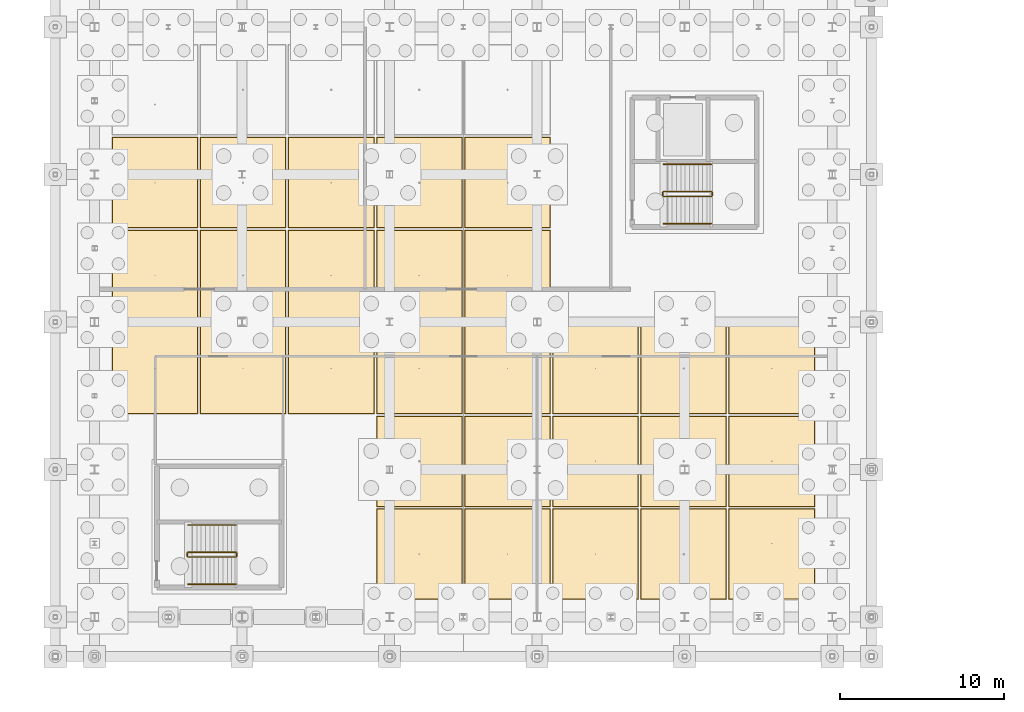
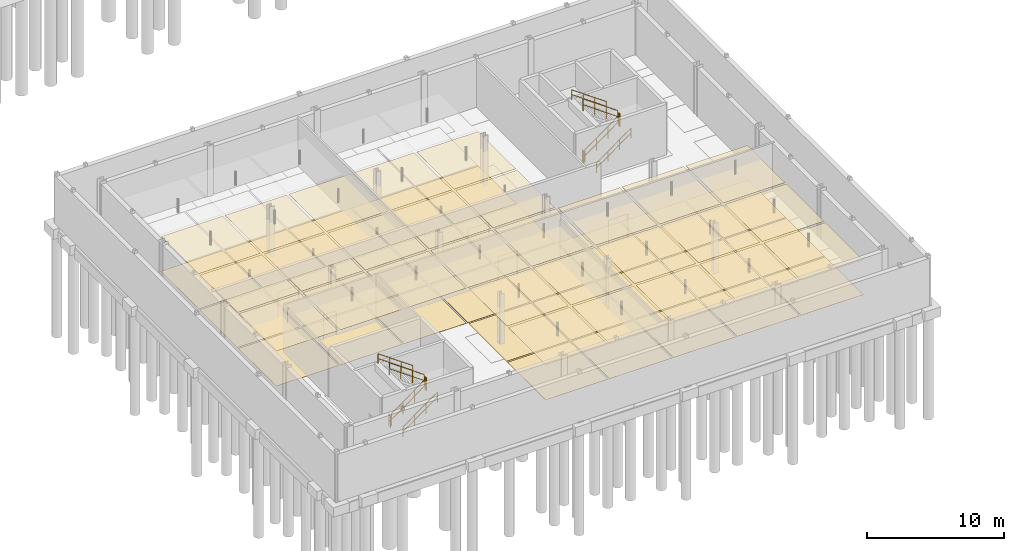
# One storey, part 43 of 48: 56 coverings, 12 railings.
"""IFC4 building model written with IfcOpenShell, lengths in metres."""

from ifc_helpers import new_model, si_unit, direction, frame, origin, origin_2d, place, context, subcontext, project, spatial, rectangle, circle, extrude, material, layer, layer_set, type_object, element, save


model = new_model("IFC4")

# Units and contexts
model_context = context("Model", 3, precision=1e-05, world=origin(), true_north=direction((0.0, 1.0)))
body_context = subcontext(model_context, "Body", "Model", "MODEL_VIEW")
ifc_project = project(units=[si_unit("LENGTHUNIT", "METRE"), si_unit("AREAUNIT", "SQUARE_METRE"), si_unit("VOLUMEUNIT", "CUBIC_METRE"), si_unit("PLANEANGLEUNIT", "RADIAN"), si_unit("MASSUNIT", "GRAM", prefix="KILO"), si_unit("THERMODYNAMICTEMPERATUREUNIT", "KELVIN"), si_unit("POWERUNIT", "WATT")], contexts=[model_context])

# Site, building, storey
site_placement = place(None, origin())
site = spatial("IfcSite", under=ifc_project, at=site_placement, CompositionType="ELEMENT")
building_placement = place(site_placement, origin())
building = spatial("IfcBuilding", under=site, at=building_placement, Name="Tallowbark Science Centre", CompositionType="ELEMENT")
storey_placement = place(building_placement, frame((0.0, 0.0, -4.5)))
storey = spatial("IfcBuildingStorey", under=building, at=storey_placement, Name="B1", CompositionType="ELEMENT", Elevation=-4.5)

# Coverings
ifc_material_1 = material(Name="Mineral-Fibre Acoustic Ceiling Tile Grid")
ifc_layer_1 = layer(ifc_material_1, 0.01806640625)
ifc_layer_set_1 = layer_set([ifc_layer_1], Name="Mineral-Fibre Acoustic Ceiling Tile Grid")
covering_type_1 = type_object("IfcCoveringType", Name="CLG-ACT-18", PredefinedType="CEILING", material=ifc_layer_set_1)
for number, where, z_axis, x_axis, name in (
    (1, (62.1875, 19.666748046875, 3.091064453125), (0.0, 0.0, 1.0), (1.0, 0.0, 0.0), "Suspended Ceiling B1-1"),
    (2, (62.1875, 25.333251953125, 3.091064453125), (0.0, 0.0, 1.0), (1.0, 0.0, 0.0), "Suspended Ceiling B1-2"),
    (3, (62.1875, 31.0, 3.091064453125), (0.0, 0.0, 1.0), (1.0, 0.0, 0.0), "Suspended Ceiling B1-3"),
    (4, (67.5625, 19.666748046875, 3.091064453125), (0.0, 0.0, 1.0), (1.0, 0.0, 0.0), "Suspended Ceiling B1-5"),
    (5, (67.5625, 25.333251953125, 3.091064453125), (0.0, 0.0, 1.0), (1.0, 0.0, 0.0), "Suspended Ceiling B1-6"),
    (6, (67.5625, 31.0, 3.091064453125), (0.0, 0.0, 1.0), (1.0, 0.0, 0.0), "Suspended Ceiling B1-7"),
    (7, (72.9375, 19.666748046875, 3.091064453125), (0.0, 0.0, 1.0), (1.0, 0.0, 0.0), "Suspended Ceiling B1-9"),
    (8, (72.9375, 25.333251953125, 3.091064453125), (0.0, 0.0, 1.0), (1.0, 0.0, 0.0), "Suspended Ceiling B1-10"),
    (9, (72.9375, 31.0, 3.091064453125), (0.0, 0.0, 1.0), (1.0, 0.0, 0.0), "Suspended Ceiling B1-11"),
    (10, (78.3125, 8.333251953125, 3.091064453125), (0.0, 0.0, 1.0), (1.0, 0.0, 0.0), "Suspended Ceiling B1-13"),
    (11, (78.3125, 14.0, 3.091064453125), (0.0, 0.0, 1.0), (1.0, 0.0, 0.0), "Suspended Ceiling B1-14"),
    (12, (78.3125, 19.666748046875, 3.091064453125), (0.0, 0.0, 1.0), (1.0, 0.0, 0.0), "Suspended Ceiling B1-15"),
    (13, (78.3125, 25.333251953125, 3.091064453125), (0.0, 0.0, 1.0), (1.0, 0.0, 0.0), "Suspended Ceiling B1-16"),
    (14, (78.3125, 31.0, 3.091064453125), (0.0, 0.0, 1.0), (1.0, 0.0, 0.0), "Suspended Ceiling B1-17"),
    (15, (83.6875, 8.333251953125, 3.091064453125), (0.0, 0.0, 1.0), (1.0, 0.0, 0.0), "Suspended Ceiling B1-19"),
    (16, (83.6875, 14.0, 3.091064453125), (0.0, 0.0, 1.0), (1.0, 0.0, 0.0), "Suspended Ceiling B1-20"),
    (17, (83.6875, 19.666748046875, 3.091064453125), (0.0, 0.0, 1.0), (1.0, 0.0, 0.0), "Suspended Ceiling B1-21"),
    (18, (83.6875, 25.333251953125, 3.091064453125), (0.0, 0.0, 1.0), (1.0, 0.0, 0.0), "Suspended Ceiling B1-22"),
    (19, (83.6875, 31.0, 3.091064453125), (0.0, 0.0, 1.0), (1.0, 0.0, 0.0), "Suspended Ceiling B1-23"),
    (20, (89.0625, 8.333251953125, 3.091064453125), (0.0, 0.0, 1.0), (1.0, 0.0, 0.0), "Suspended Ceiling B1-25"),
    (21, (89.0625, 14.0, 3.091064453125), (0.0, 0.0, 1.0), (1.0, 0.0, 0.0), "Suspended Ceiling B1-26"),
    (22, (89.0625, 19.666748046875, 3.091064453125), (0.0, 0.0, 1.0), (1.0, 0.0, 0.0), "Suspended Ceiling B1-27"),
    (23, (94.4375, 8.333251953125, 3.091064453125), (0.0, 0.0, 1.0), (1.0, 0.0, 0.0), "Suspended Ceiling B1-28"),
    (24, (94.4375, 14.0, 3.091064453125), (0.0, 0.0, 1.0), (1.0, 0.0, 0.0), "Suspended Ceiling B1-29"),
    (25, (94.4375, 19.666748046875, 3.091064453125), (0.0, 0.0, 1.0), (1.0, 0.0, 0.0), "Suspended Ceiling B1-30"),
    (26, (99.8125, 8.333251953125, 3.091064453125), (0.0, 0.0, 1.0), (1.0, 0.0, 0.0), "Suspended Ceiling B1-31"),
    (27, (99.8125, 14.0, 3.091064453125), (0.0, 0.0, 1.0), (1.0, 0.0, 0.0), "Suspended Ceiling B1-32"),
    (28, (99.8125, 19.666748046875, 3.091064453125), (0.0, 0.0, 1.0), (1.0, 0.0, 0.0), "Suspended Ceiling B1-33"),
):
    element("IfcCovering", number, at=place(storey_placement, frame(where, z_axis=z_axis, x_axis=x_axis)), inside=storey, type_object=covering_type_1, Name=name, PredefinedType="CEILING", context=body_context, shape_type="SweptSolid", body=[
        extrude(rectangle(XDim=5.195068359375, YDim=5.48681640625, at=origin_2d()), origin(), (0.0, 0.0, 1.0), 0.01806640625),
    ])
ifc_material_2 = material(Name="Chemical-Resistant Seamless Laboratory Vinyl")
ifc_layer_2 = layer(ifc_material_2, 0.011962890625)
ifc_layer_set_2 = layer_set([ifc_layer_2], Name="Chemical-Resistant Seamless Laboratory Vinyl")
covering_type_2 = type_object("IfcCoveringType", Name="FLR-VIN-12", PredefinedType="FLOORING", material=ifc_layer_set_2)
for number, where, z_axis, x_axis, name in (
    (29, (62.1875, 19.666748046875, 0.0), (0.0, 0.0, 1.0), (1.0, 0.0, 0.0), "Floor Finish B1-1"),
    (30, (62.1875, 25.333251953125, 0.0), (0.0, 0.0, 1.0), (1.0, 0.0, 0.0), "Floor Finish B1-2"),
    (31, (62.1875, 31.0, 0.0), (0.0, 0.0, 1.0), (1.0, 0.0, 0.0), "Floor Finish B1-3"),
    (32, (67.5625, 19.666748046875, 0.0), (0.0, 0.0, 1.0), (1.0, 0.0, 0.0), "Floor Finish B1-5"),
    (33, (67.5625, 25.333251953125, 0.0), (0.0, 0.0, 1.0), (1.0, 0.0, 0.0), "Floor Finish B1-6"),
    (34, (67.5625, 31.0, 0.0), (0.0, 0.0, 1.0), (1.0, 0.0, 0.0), "Floor Finish B1-7"),
    (35, (72.9375, 19.666748046875, 0.0), (0.0, 0.0, 1.0), (1.0, 0.0, 0.0), "Floor Finish B1-9"),
    (36, (72.9375, 25.333251953125, 0.0), (0.0, 0.0, 1.0), (1.0, 0.0, 0.0), "Floor Finish B1-10"),
    (37, (72.9375, 31.0, 0.0), (0.0, 0.0, 1.0), (1.0, 0.0, 0.0), "Floor Finish B1-11"),
    (38, (78.3125, 8.333251953125, 0.0), (0.0, 0.0, 1.0), (1.0, 0.0, 0.0), "Floor Finish B1-13"),
    (39, (78.3125, 14.0, 0.0), (0.0, 0.0, 1.0), (1.0, 0.0, 0.0), "Floor Finish B1-14"),
    (40, (78.3125, 19.666748046875, 0.0), (0.0, 0.0, 1.0), (1.0, 0.0, 0.0), "Floor Finish B1-15"),
    (41, (78.3125, 25.333251953125, 0.0), (0.0, 0.0, 1.0), (1.0, 0.0, 0.0), "Floor Finish B1-16"),
    (42, (78.3125, 31.0, 0.0), (0.0, 0.0, 1.0), (1.0, 0.0, 0.0), "Floor Finish B1-17"),
    (43, (83.6875, 8.333251953125, 0.0), (0.0, 0.0, 1.0), (1.0, 0.0, 0.0), "Floor Finish B1-19"),
    (44, (83.6875, 14.0, 0.0), (0.0, 0.0, 1.0), (1.0, 0.0, 0.0), "Floor Finish B1-20"),
    (45, (83.6875, 19.666748046875, 0.0), (0.0, 0.0, 1.0), (1.0, 0.0, 0.0), "Floor Finish B1-21"),
    (46, (83.6875, 25.333251953125, 0.0), (0.0, 0.0, 1.0), (1.0, 0.0, 0.0), "Floor Finish B1-22"),
    (47, (83.6875, 31.0, 0.0), (0.0, 0.0, 1.0), (1.0, 0.0, 0.0), "Floor Finish B1-23"),
    (48, (89.0625, 8.333251953125, 0.0), (0.0, 0.0, 1.0), (1.0, 0.0, 0.0), "Floor Finish B1-25"),
    (49, (89.0625, 14.0, 0.0), (0.0, 0.0, 1.0), (1.0, 0.0, 0.0), "Floor Finish B1-26"),
    (50, (89.0625, 19.666748046875, 0.0), (0.0, 0.0, 1.0), (1.0, 0.0, 0.0), "Floor Finish B1-27"),
    (51, (94.4375, 8.333251953125, 0.0), (0.0, 0.0, 1.0), (1.0, 0.0, 0.0), "Floor Finish B1-28"),
    (52, (94.4375, 14.0, 0.0), (0.0, 0.0, 1.0), (1.0, 0.0, 0.0), "Floor Finish B1-29"),
    (53, (94.4375, 19.666748046875, 0.0), (0.0, 0.0, 1.0), (1.0, 0.0, 0.0), "Floor Finish B1-30"),
    (54, (99.8125, 8.333251953125, 0.0), (0.0, 0.0, 1.0), (1.0, 0.0, 0.0), "Floor Finish B1-31"),
    (55, (99.8125, 14.0, 0.0), (0.0, 0.0, 1.0), (1.0, 0.0, 0.0), "Floor Finish B1-32"),
    (56, (99.8125, 19.666748046875, 0.0), (0.0, 0.0, 1.0), (1.0, 0.0, 0.0), "Floor Finish B1-33"),
):
    element("IfcCovering", number, at=place(storey_placement, frame(where, z_axis=z_axis, x_axis=x_axis)), inside=storey, type_object=covering_type_2, Name=name, PredefinedType="FLOORING", context=body_context, shape_type="SweptSolid", body=[
        extrude(rectangle(XDim=5.2548828125, YDim=5.546630859375, at=origin_2d()), origin(), (0.0, 0.0, 1.0), 0.011962890625),
    ])

# Railings
ifc_material_3 = material(Name="Galvanised Painted Steel and Laminated Glass Balustrade", Category="steel")
ifc_layer_3 = layer(ifc_material_3, 0.070068359375)
ifc_layer_set_3 = layer_set([ifc_layer_3], Name="Galvanised Painted Steel and Laminated Glass Balustrade")
railing_type_1 = type_object("IfcRailingType", Name="RLG-BAL-1150", PredefinedType="BALUSTRADE", material=ifc_layer_set_3)
railing_1_placement = place(storey_placement, frame((93.2099609375, 30.159912109375, 0.1875)))
element("IfcRailing", 57, at=railing_1_placement, inside=storey, type_object=railing_type_1, Name="B1 ST-03 stair guard 1", PredefinedType="BALUSTRADE", context=body_context, shape_type="SweptSolid", body=[
    extrude(circle(Radius=0.02392578125, at=origin_2d()), frame((0.0, 0.0, 1.076171875), z_axis=(0.816330724661, 0.0, 0.577584753931), x_axis=(0.0, 1.0, 0.0)), (0.0, 0.0, 1.0), 3.57080078125),
    extrude(circle(Radius=0.02392578125, at=origin_2d()), frame((0.0, 0.0, 0.550048828125), z_axis=(0.816330724661, 0.0, 0.577584753931), x_axis=(0.0, 1.0, 0.0)), (0.0, 0.0, 1.0), 3.57080078125),
    extrude(circle(Radius=0.02099609375, at=origin_2d()), origin(), (0.0, 0.0, 1.0), 1.052001953125),
    extrude(circle(Radius=0.02099609375, at=origin_2d()), frame((0.9716796875, 0.0, 0.6875)), (0.0, 0.0, 1.0), 1.052001953125),
    extrude(circle(Radius=0.02099609375, at=origin_2d()), frame((1.943359375, 0.0, 1.375)), (0.0, 0.0, 1.0), 1.052001953125),
    extrude(circle(Radius=0.02099609375, at=origin_2d()), frame((2.9150390625, 0.0, 2.0625)), (0.0, 0.0, 1.0), 1.052001953125),
])
railing_2_placement = place(storey_placement, frame((96.175048828125, 30.2099609375, 2.25)))
element("IfcRailing", 58, at=railing_2_placement, inside=storey, type_object=railing_type_1, Name="B1 ST-03 stair guard 2", PredefinedType="BALUSTRADE", context=body_context, shape_type="SweptSolid", body=[
    extrude(circle(Radius=0.02392578125, at=origin_2d()), frame((0.0, 0.0, 1.076171875), z_axis=(0.0, 1.0, 0.0), x_axis=(-1.0, 0.0, 0.0)), (0.0, 0.0, 1.0), 0.199951171875),
    extrude(circle(Radius=0.02392578125, at=origin_2d()), frame((0.0, 0.0, 0.550048828125), z_axis=(0.0, 1.0, 0.0), x_axis=(-1.0, 0.0, 0.0)), (0.0, 0.0, 1.0), 0.199951171875),
    extrude(circle(Radius=0.02099609375, at=origin_2d()), origin(), (0.0, 0.0, 1.0), 1.052001953125),
    extrude(circle(Radius=0.02099609375, at=origin_2d()), frame((0.0, 0.199951171875, 0.0)), (0.0, 0.0, 1.0), 1.052001953125),
])
railing_3_placement = place(storey_placement, frame((96.125, 30.4599609375, 2.4375)))
element("IfcRailing", 59, at=railing_3_placement, inside=storey, type_object=railing_type_1, Name="B1 ST-03 stair guard 3", PredefinedType="BALUSTRADE", context=body_context, shape_type="SweptSolid", body=[
    extrude(circle(Radius=0.02392578125, at=origin_2d()), frame((0.0, 0.0, 1.076171875), z_axis=(-0.816330724661, 0.0, 0.577584753931), x_axis=(0.0, -1.0, 0.0)), (0.0, 0.0, 1.0), 3.57080078125),
    extrude(circle(Radius=0.02392578125, at=origin_2d()), frame((0.0, 0.0, 0.550048828125), z_axis=(-0.816330724661, 0.0, 0.577584753931), x_axis=(0.0, -1.0, 0.0)), (0.0, 0.0, 1.0), 3.57080078125),
    extrude(circle(Radius=0.02099609375, at=origin_2d()), origin(), (0.0, 0.0, 1.0), 1.052001953125),
    extrude(circle(Radius=0.02099609375, at=origin_2d()), frame((-0.9716796875, 0.0, 0.6875)), (0.0, 0.0, 1.0), 1.052001953125),
    extrude(circle(Radius=0.02099609375, at=origin_2d()), frame((-1.943359375, 0.0, 1.375)), (0.0, 0.0, 1.0), 1.052001953125),
    extrude(circle(Radius=0.02099609375, at=origin_2d()), frame((-2.9150390625, 0.0, 2.0625)), (0.0, 0.0, 1.0), 1.052001953125),
])
railing_4_placement = place(storey_placement, frame((93.159912109375, 30.2099609375, 0.0)))
element("IfcRailing", 60, at=railing_4_placement, inside=storey, type_object=railing_type_1, Name="B1 ST-03 stair guard 4", PredefinedType="BALUSTRADE", context=body_context, shape_type="SweptSolid", body=[
    extrude(circle(Radius=0.02392578125, at=origin_2d()), frame((0.0, 0.0, 1.076171875), z_axis=(0.0, 1.0, 0.0), x_axis=(-1.0, 0.0, 0.0)), (0.0, 0.0, 1.0), 0.199951171875),
    extrude(circle(Radius=0.02392578125, at=origin_2d()), frame((0.0, 0.0, 0.550048828125), z_axis=(0.0, 1.0, 0.0), x_axis=(-1.0, 0.0, 0.0)), (0.0, 0.0, 1.0), 0.199951171875),
    extrude(circle(Radius=0.02099609375, at=origin_2d()), origin(), (0.0, 0.0, 1.0), 1.052001953125),
    extrude(circle(Radius=0.02099609375, at=origin_2d()), frame((0.0, 0.199951171875, 0.0)), (0.0, 0.0, 1.0), 1.052001953125),
])
railing_5_placement = place(storey_placement, frame((64.2099609375, 8.159912109375, 0.1875)))
element("IfcRailing", 61, at=railing_5_placement, inside=storey, type_object=railing_type_1, Name="B1 ST-07 stair guard 1", PredefinedType="BALUSTRADE", context=body_context, shape_type="SweptSolid", body=[
    extrude(circle(Radius=0.02392578125, at=origin_2d()), frame((0.0, 0.0, 1.076171875), z_axis=(0.816330724661, 0.0, 0.577584753931), x_axis=(0.0, 1.0, 0.0)), (0.0, 0.0, 1.0), 3.57080078125),
    extrude(circle(Radius=0.02392578125, at=origin_2d()), frame((0.0, 0.0, 0.550048828125), z_axis=(0.816330724661, 0.0, 0.577584753931), x_axis=(0.0, 1.0, 0.0)), (0.0, 0.0, 1.0), 3.57080078125),
    extrude(circle(Radius=0.02099609375, at=origin_2d()), origin(), (0.0, 0.0, 1.0), 1.052001953125),
    extrude(circle(Radius=0.02099609375, at=origin_2d()), frame((0.9716796875, 0.0, 0.6875)), (0.0, 0.0, 1.0), 1.052001953125),
    extrude(circle(Radius=0.02099609375, at=origin_2d()), frame((1.943359375, 0.0, 1.375)), (0.0, 0.0, 1.0), 1.052001953125),
    extrude(circle(Radius=0.02099609375, at=origin_2d()), frame((2.9150390625, 0.0, 2.0625)), (0.0, 0.0, 1.0), 1.052001953125),
])
railing_6_placement = place(storey_placement, frame((67.175048828125, 8.2099609375, 2.25)))
element("IfcRailing", 62, at=railing_6_placement, inside=storey, type_object=railing_type_1, Name="B1 ST-07 stair guard 2", PredefinedType="BALUSTRADE", context=body_context, shape_type="SweptSolid", body=[
    extrude(circle(Radius=0.02392578125, at=origin_2d()), frame((0.0, 0.0, 1.076171875), z_axis=(0.0, 1.0, 0.0), x_axis=(-1.0, 0.0, 0.0)), (0.0, 0.0, 1.0), 0.199951171875),
    extrude(circle(Radius=0.02392578125, at=origin_2d()), frame((0.0, 0.0, 0.550048828125), z_axis=(0.0, 1.0, 0.0), x_axis=(-1.0, 0.0, 0.0)), (0.0, 0.0, 1.0), 0.199951171875),
    extrude(circle(Radius=0.02099609375, at=origin_2d()), origin(), (0.0, 0.0, 1.0), 1.052001953125),
    extrude(circle(Radius=0.02099609375, at=origin_2d()), frame((0.0, 0.199951171875, 0.0)), (0.0, 0.0, 1.0), 1.052001953125),
])
railing_7_placement = place(storey_placement, frame((67.125, 8.4599609375, 2.4375)))
element("IfcRailing", 63, at=railing_7_placement, inside=storey, type_object=railing_type_1, Name="B1 ST-07 stair guard 3", PredefinedType="BALUSTRADE", context=body_context, shape_type="SweptSolid", body=[
    extrude(circle(Radius=0.02392578125, at=origin_2d()), frame((0.0, 0.0, 1.076171875), z_axis=(-0.816330724661, 0.0, 0.577584753931), x_axis=(0.0, -1.0, 0.0)), (0.0, 0.0, 1.0), 3.57080078125),
    extrude(circle(Radius=0.02392578125, at=origin_2d()), frame((0.0, 0.0, 0.550048828125), z_axis=(-0.816330724661, 0.0, 0.577584753931), x_axis=(0.0, -1.0, 0.0)), (0.0, 0.0, 1.0), 3.57080078125),
    extrude(circle(Radius=0.02099609375, at=origin_2d()), origin(), (0.0, 0.0, 1.0), 1.052001953125),
    extrude(circle(Radius=0.02099609375, at=origin_2d()), frame((-0.9716796875, 0.0, 0.6875)), (0.0, 0.0, 1.0), 1.052001953125),
    extrude(circle(Radius=0.02099609375, at=origin_2d()), frame((-1.943359375, 0.0, 1.375)), (0.0, 0.0, 1.0), 1.052001953125),
    extrude(circle(Radius=0.02099609375, at=origin_2d()), frame((-2.9150390625, 0.0, 2.0625)), (0.0, 0.0, 1.0), 1.052001953125),
])
railing_8_placement = place(storey_placement, frame((64.159912109375, 8.2099609375, 0.0)))
element("IfcRailing", 64, at=railing_8_placement, inside=storey, type_object=railing_type_1, Name="B1 ST-07 stair guard 4", PredefinedType="BALUSTRADE", context=body_context, shape_type="SweptSolid", body=[
    extrude(circle(Radius=0.02392578125, at=origin_2d()), frame((0.0, 0.0, 1.076171875), z_axis=(0.0, 1.0, 0.0), x_axis=(-1.0, 0.0, 0.0)), (0.0, 0.0, 1.0), 0.199951171875),
    extrude(circle(Radius=0.02392578125, at=origin_2d()), frame((0.0, 0.0, 0.550048828125), z_axis=(0.0, 1.0, 0.0), x_axis=(-1.0, 0.0, 0.0)), (0.0, 0.0, 1.0), 0.199951171875),
    extrude(circle(Radius=0.02099609375, at=origin_2d()), origin(), (0.0, 0.0, 1.0), 1.052001953125),
    extrude(circle(Radius=0.02099609375, at=origin_2d()), frame((0.0, 0.199951171875, 0.0)), (0.0, 0.0, 1.0), 1.052001953125),
])
ifc_material_4 = material(Name="Brushed Grade 316 Stainless Steel Handrail", Category="steel")
ifc_layer_4 = layer(ifc_material_4, 0.050048828125)
ifc_layer_set_4 = layer_set([ifc_layer_4], Name="Brushed Grade 316 Stainless Steel Handrail")
railing_type_2 = type_object("IfcRailingType", Name="RLG-HDR-950", PredefinedType="HANDRAIL", material=ifc_layer_set_4)
railing_9_placement = place(storey_placement, frame((93.2099609375, 28.5, 0.1875)))
element("IfcRailing", 65, at=railing_9_placement, inside=storey, type_object=railing_type_2, Name="B1 ST-03 stair handrail 1", PredefinedType="HANDRAIL", context=body_context, shape_type="SweptSolid", body=[
    extrude(circle(Radius=0.02392578125, at=origin_2d()), frame((0.0, 0.0, 0.8759765625), z_axis=(0.816330724661, 0.0, 0.577584753931), x_axis=(0.0, 1.0, 0.0)), (0.0, 0.0, 1.0), 3.57080078125),
    extrude(circle(Radius=0.02392578125, at=origin_2d()), frame((0.0, 0.0, 0.449951171875), z_axis=(0.816330724661, 0.0, 0.577584753931), x_axis=(0.0, 1.0, 0.0)), (0.0, 0.0, 1.0), 3.57080078125),
    extrude(circle(Radius=0.02099609375, at=origin_2d()), origin(), (0.0, 0.0, 1.0), 0.851806640625),
    extrude(circle(Radius=0.02099609375, at=origin_2d()), frame((0.9716796875, 0.0, 0.6875)), (0.0, 0.0, 1.0), 0.851806640625),
    extrude(circle(Radius=0.02099609375, at=origin_2d()), frame((1.943359375, 0.0, 1.375)), (0.0, 0.0, 1.0), 0.851806640625),
    extrude(circle(Radius=0.02099609375, at=origin_2d()), frame((2.9150390625, 0.0, 2.0625)), (0.0, 0.0, 1.0), 0.851806640625),
])
railing_10_placement = place(storey_placement, frame((96.125, 32.1201171875, 2.4375)))
element("IfcRailing", 66, at=railing_10_placement, inside=storey, type_object=railing_type_2, Name="B1 ST-03 stair handrail 2", PredefinedType="HANDRAIL", context=body_context, shape_type="SweptSolid", body=[
    extrude(circle(Radius=0.02392578125, at=origin_2d()), frame((0.0, 0.0, 0.8759765625), z_axis=(-0.816330724661, 0.0, 0.577584753931), x_axis=(0.0, -1.0, 0.0)), (0.0, 0.0, 1.0), 3.57080078125),
    extrude(circle(Radius=0.02392578125, at=origin_2d()), frame((0.0, 0.0, 0.449951171875), z_axis=(-0.816330724661, 0.0, 0.577584753931), x_axis=(0.0, -1.0, 0.0)), (0.0, 0.0, 1.0), 3.57080078125),
    extrude(circle(Radius=0.02099609375, at=origin_2d()), origin(), (0.0, 0.0, 1.0), 0.851806640625),
    extrude(circle(Radius=0.02099609375, at=origin_2d()), frame((-0.9716796875, 0.0, 0.6875)), (0.0, 0.0, 1.0), 0.851806640625),
    extrude(circle(Radius=0.02099609375, at=origin_2d()), frame((-1.943359375, 0.0, 1.375)), (0.0, 0.0, 1.0), 0.851806640625),
    extrude(circle(Radius=0.02099609375, at=origin_2d()), frame((-2.9150390625, 0.0, 2.0625)), (0.0, 0.0, 1.0), 0.851806640625),
])
railing_11_placement = place(storey_placement, frame((64.2099609375, 6.5, 0.1875)))
element("IfcRailing", 67, at=railing_11_placement, inside=storey, type_object=railing_type_2, Name="B1 ST-07 stair handrail 1", PredefinedType="HANDRAIL", context=body_context, shape_type="SweptSolid", body=[
    extrude(circle(Radius=0.02392578125, at=origin_2d()), frame((0.0, 0.0, 0.8759765625), z_axis=(0.816330724661, 0.0, 0.577584753931), x_axis=(0.0, 1.0, 0.0)), (0.0, 0.0, 1.0), 3.57080078125),
    extrude(circle(Radius=0.02392578125, at=origin_2d()), frame((0.0, 0.0, 0.449951171875), z_axis=(0.816330724661, 0.0, 0.577584753931), x_axis=(0.0, 1.0, 0.0)), (0.0, 0.0, 1.0), 3.57080078125),
    extrude(circle(Radius=0.02099609375, at=origin_2d()), origin(), (0.0, 0.0, 1.0), 0.851806640625),
    extrude(circle(Radius=0.02099609375, at=origin_2d()), frame((0.9716796875, 0.0, 0.6875)), (0.0, 0.0, 1.0), 0.851806640625),
    extrude(circle(Radius=0.02099609375, at=origin_2d()), frame((1.943359375, 0.0, 1.375)), (0.0, 0.0, 1.0), 0.851806640625),
    extrude(circle(Radius=0.02099609375, at=origin_2d()), frame((2.9150390625, 0.0, 2.0625)), (0.0, 0.0, 1.0), 0.851806640625),
])
railing_12_placement = place(storey_placement, frame((67.125, 10.1201171875, 2.4375)))
element("IfcRailing", 68, at=railing_12_placement, inside=storey, type_object=railing_type_2, Name="B1 ST-07 stair handrail 2", PredefinedType="HANDRAIL", context=body_context, shape_type="SweptSolid", body=[
    extrude(circle(Radius=0.02392578125, at=origin_2d()), frame((0.0, 0.0, 0.8759765625), z_axis=(-0.816330724661, 0.0, 0.577584753931), x_axis=(0.0, -1.0, 0.0)), (0.0, 0.0, 1.0), 3.57080078125),
    extrude(circle(Radius=0.02392578125, at=origin_2d()), frame((0.0, 0.0, 0.449951171875), z_axis=(-0.816330724661, 0.0, 0.577584753931), x_axis=(0.0, -1.0, 0.0)), (0.0, 0.0, 1.0), 3.57080078125),
    extrude(circle(Radius=0.02099609375, at=origin_2d()), origin(), (0.0, 0.0, 1.0), 0.851806640625),
    extrude(circle(Radius=0.02099609375, at=origin_2d()), frame((-0.9716796875, 0.0, 0.6875)), (0.0, 0.0, 1.0), 0.851806640625),
    extrude(circle(Radius=0.02099609375, at=origin_2d()), frame((-1.943359375, 0.0, 1.375)), (0.0, 0.0, 1.0), 0.851806640625),
    extrude(circle(Radius=0.02099609375, at=origin_2d()), frame((-2.9150390625, 0.0, 2.0625)), (0.0, 0.0, 1.0), 0.851806640625),
])

save(model, "model.ifc")
